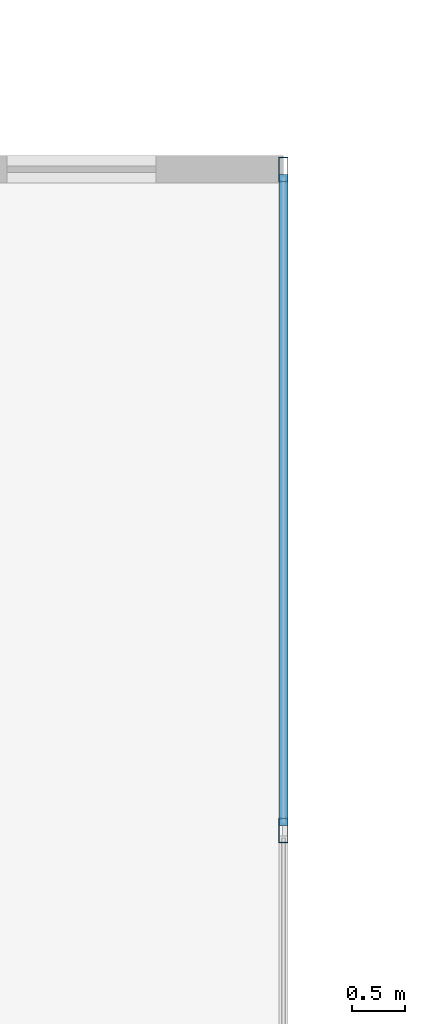
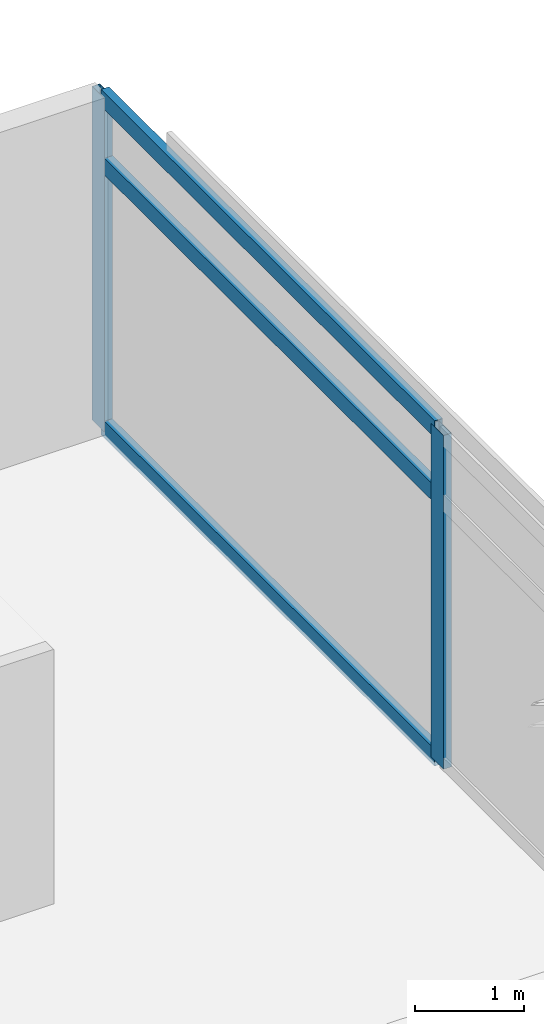
# One storey, part 11 of 20: 5 members, 1 element without a shape of its own.
"""IFC4 building model written with IfcOpenShell, lengths in metres."""

import ifcopenshell
import ifcopenshell.guid

model = None  # the IFC model being written
_history = None  # IfcOwnerHistory: only IFC2X3 demands one
_inside = {}  # id of a spatial element -> (the spatial element, [elements in it])
_under = {}  # id of a project, library or spatial element -> (it, [spatial elements below it])
_declared = {}  # id of a project -> (the project, [libraries it declares])
_typed = {}  # id of a type object -> (the type object, [elements of that type])
_made_of = {}  # id of a material, layer set ... -> (it, [elements and type objects made of it])


def new_model(schema):
    """Start an empty IFC model of exactly this schema.

    Asked for "IFC4X3", IfcOpenShell would pick the latest addendum, in which some entities
    have other attributes; the version numbers below select the first issue.
    IFC2X3 requires an IfcOwnerHistory on every rooted entity: one is made here for all.
    """
    global model, _history
    if schema == "IFC4X3":
        model = ifcopenshell.file(schema_version=(4, 3, 0, 0))
    else:
        model = ifcopenshell.file(schema=schema)
    _inside.clear()
    _under.clear()
    _declared.clear()
    _typed.clear()
    _made_of.clear()
    _history = None
    if model.schema == "IFC2X3":
        org = make("IfcOrganization", Name="unknown")
        user = make(
            "IfcPersonAndOrganization",
            ThePerson=make("IfcPerson", FamilyName="unknown"),
            TheOrganization=org,
        )
        app = make(
            "IfcApplication",
            ApplicationDeveloper=org,
            Version="unknown",
            ApplicationFullName="unknown",
            ApplicationIdentifier="unknown",
        )
        _history = make(
            "IfcOwnerHistory",
            OwningUser=user,
            OwningApplication=app,
            ChangeAction="ADDED",
            CreationDate=0,
        )
    return model


def make(cls, **values):
    """One entity of the class cls with the attributes given. An attribute that is None is left unset."""
    return model.create_entity(
        cls, **{name: value for name, value in values.items() if value is not None}
    )


def rooted(cls, **values):
    """An entity with a GlobalId (a new one), such as an element, a storey or a relation."""
    return make(cls, GlobalId=ifcopenshell.guid.new(), OwnerHistory=_history, **values)


def si_unit(unit_type, name, prefix=None):
    """IfcSIUnit, for example si_unit("LENGTHUNIT", "METRE", prefix="MILLI")."""
    return make("IfcSIUnit", UnitType=unit_type, Prefix=prefix, Name=name)


def assignment(units):
    """IfcUnitAssignment: the units of a project."""
    return None if units is None else make("IfcUnitAssignment", Units=units)


def point(xyz):
    """IfcCartesianPoint."""
    return None if xyz is None else make("IfcCartesianPoint", Coordinates=xyz)


def direction(xyz):
    """IfcDirection."""
    return None if xyz is None else make("IfcDirection", DirectionRatios=xyz)


def frame(location, z_axis=None, x_axis=None):
    """IfcAxis2Placement3D, a coordinate frame: its origin and axes. An axis left out is left unset."""
    return make(
        "IfcAxis2Placement3D",
        Location=point(location),
        Axis=direction(z_axis),
        RefDirection=direction(x_axis),
    )


def frame_2d(location, x_axis=None):
    """IfcAxis2Placement2D, a coordinate frame in the plane: its origin and x axis."""
    return make(
        "IfcAxis2Placement2D", Location=point(location), RefDirection=direction(x_axis)
    )


def origin():
    """The frame at (0, 0, 0) with its axes left unset."""
    return frame((0.0, 0.0, 0.0))


def origin_2d():
    """The frame at (0, 0) in the plane with its x axis left unset."""
    return frame_2d((0.0, 0.0))


def place(relative_to, where):
    """IfcLocalPlacement: puts the frame where relative to a parent placement (None: the world)."""
    return make(
        "IfcLocalPlacement", PlacementRelTo=relative_to, RelativePlacement=where
    )


def context(
    kind, dimensions, precision=None, world=None, true_north=None, identifier=None
):
    """IfcGeometricRepresentationContext, for example the 3D "Model" context."""
    return make(
        "IfcGeometricRepresentationContext",
        ContextIdentifier=identifier,
        ContextType=kind,
        CoordinateSpaceDimension=dimensions,
        Precision=precision,
        WorldCoordinateSystem=world,
        TrueNorth=true_north,
    )


def subcontext(parent, identifier, kind, view, scale=None):
    """IfcGeometricRepresentationSubContext, for example "Body" below "Model"."""
    return make(
        "IfcGeometricRepresentationSubContext",
        ContextIdentifier=identifier,
        ContextType=kind,
        ParentContext=parent,
        TargetScale=scale,
        TargetView=view,
    )


def project(units=None, contexts=None):
    """IfcProject with its units and contexts."""
    return rooted(
        "IfcProject",
        Name="project",
        RepresentationContexts=contexts,
        UnitsInContext=assignment(units),
    )


def spatial(cls, under=None, at=None, **own):
    """A site, building, storey or space (cls), placed at a placement, below another one or the project."""
    s = rooted(cls, ObjectPlacement=at, **own)
    if under is not None:
        _under.setdefault(under.id(), (under, []))[1].append(s)
    return s


def profile(cls, at=None, kind="AREA", **sizes):
    """A parametric profile (cls). Its sizes go by their IFC names, for example OverallWidth=200.0."""
    return make(cls, ProfileType=kind, Position=at, **sizes)


def hollow_rectangle(**sizes):
    """IfcRectangleHollowProfileDef."""
    return profile("IfcRectangleHollowProfileDef", **sizes)


def extrude(swept, where, along, depth):
    """IfcExtrudedAreaSolid: the profile swept, set in the frame where, extruded along a direction by depth."""
    return make(
        "IfcExtrudedAreaSolid",
        SweptArea=swept,
        Position=where,
        ExtrudedDirection=direction(along),
        Depth=depth,
    )


def shape(context_of_items, identifier, shape_type, items):
    """IfcShapeRepresentation: the items that make up one representation, for example the "Body"."""
    return make(
        "IfcShapeRepresentation",
        ContextOfItems=context_of_items,
        RepresentationIdentifier=identifier,
        RepresentationType=shape_type,
        Items=items,
    )


def material(Name=None, Category=None):
    """IfcMaterial."""
    return make("IfcMaterial", Name=Name, Category=Category)


def material_profile(
    of_material, cross_section, Name=None, Category=None, Priority=None
):
    """IfcMaterialProfile: a cross section and its material."""
    return make(
        "IfcMaterialProfile",
        Name=Name,
        Material=of_material,
        Profile=cross_section,
        Priority=Priority,
        Category=Category,
    )


def profile_set(profiles, Name=None, composite=None):
    """IfcMaterialProfileSet."""
    return make(
        "IfcMaterialProfileSet",
        Name=Name,
        MaterialProfiles=profiles,
        CompositeProfile=composite,
    )


def made_of(thing, what):
    """Note that an element or type object is made of a material, layer set ...; save() writes the relation."""
    if what is not None:
        _made_of.setdefault(what.id(), (what, []))[1].append(thing)
    return thing


def type_object(cls, material=None, **own):
    """A type object (cls), such as IfcWallType, which elements share."""
    return made_of(rooted(cls, **own), material)


def element(
    cls,
    number,
    at=None,
    inside=None,
    cuts=None,
    type_object=None,
    material=None,
    context=None,
    identifier="Body",
    shape_type=None,
    held_by="IfcProductDefinitionShape",
    body=None,
    shapes=None,
    **own,
):
    """One element of the class cls, such as IfcWall. Its Tag is "e" and its number.

    at: its placement. inside: the storey or other place that contains it. cuts: it is an
    opening in that element (IfcRelVoidsElement). A single representation is given by context,
    identifier, shape_type and body (its items); several are given by shapes. held_by: the class
    of the entity that holds the representations. save() writes the other relations.
    """
    e = rooted(cls, Tag="e%d" % number, ObjectPlacement=at, **own)
    if body is not None:
        shapes = [shape(context, identifier, shape_type, body)]
    if shapes is not None:
        e.Representation = make(held_by, Representations=shapes)
    if inside is not None:
        _inside.setdefault(inside.id(), (inside, []))[1].append(e)
    if cuts is not None:
        rooted(
            "IfcRelVoidsElement", RelatingBuildingElement=cuts, RelatedOpeningElement=e
        )
    if type_object is not None:
        _typed.setdefault(type_object.id(), (type_object, []))[1].append(e)
    return made_of(e, material)


def aggregate(whole, parts):
    """IfcRelAggregates: a whole, such as a stair, and the parts it consists of."""
    return rooted("IfcRelAggregates", RelatingObject=whole, RelatedObjects=parts)


def save(model, path):
    """Write the relations noted so far, then the file.

    IfcRelAggregates (storeys below a building ...), IfcRelContainedInSpatialStructure (elements
    in a storey), IfcRelDefinesByType, IfcRelAssociatesMaterial and IfcRelDeclares: one each for
    every whole, place, type object, material and project.
    """
    for whole, parts in _under.values():
        aggregate(whole, parts)
    for where, things in _inside.values():
        rooted(
            "IfcRelContainedInSpatialStructure",
            RelatedElements=things,
            RelatingStructure=where,
        )
    for kind, things in _typed.values():
        rooted("IfcRelDefinesByType", RelatedObjects=things, RelatingType=kind)
    for what, things in _made_of.values():
        rooted("IfcRelAssociatesMaterial", RelatedObjects=things, RelatingMaterial=what)
    for by, libraries in _declared.values():
        rooted("IfcRelDeclares", RelatingContext=by, RelatedDefinitions=libraries)
    model.write(path)


model = new_model("IFC4")

# Units and contexts
model_context = context("Model", 3, precision=1e-05, world=origin(), true_north=direction((0.0, 1.0)))
body_context = subcontext(model_context, "Body", "Model", "MODEL_VIEW")
ifc_project = project(units=[si_unit("LENGTHUNIT", "METRE"), si_unit("AREAUNIT", "SQUARE_METRE"), si_unit("VOLUMEUNIT", "CUBIC_METRE"), si_unit("PLANEANGLEUNIT", "RADIAN"), si_unit("MASSUNIT", "GRAM", prefix="KILO")], contexts=[model_context])

# Site, building, storey
site_placement = place(None, origin())
site = spatial("IfcSite", under=ifc_project, at=site_placement, CompositionType="ELEMENT")
building_placement = place(site_placement, origin())
building = spatial("IfcBuilding", under=site, at=building_placement, Name="Kovane Verandah Tower", CompositionType="ELEMENT")
storey_placement = place(building_placement, frame((0.0, 0.0, 160.39990234375)))
storey = spatial("IfcBuildingStorey", under=building, at=storey_placement, Name="L37", CompositionType="ELEMENT", Elevation=160.39990234375)

# Curtain wall, members
ifc_material_1 = material(Name="Champagne Anodised Aluminium Frame with Low-E Clear Laminated Glass", Category="aluminium")
curtain_wall_type = type_object("IfcCurtainWallType", Name="CW-SYS-03-MID", PredefinedType="NOTDEFINED", material=ifc_material_1)
curtain_wall_placement = place(storey_placement, origin())
curtain_wall = element("IfcCurtainWall", 1, at=curtain_wall_placement, inside=storey, type_object=curtain_wall_type, Name="L37 E Unitised Curtain Wall", PredefinedType="NOTDEFINED")
ifc_material_2 = material(Name="Champagne Anodised Aluminium 6063-T6", Category="aluminium")
ifc_material_profile_1 = material_profile(ifc_material_2, hollow_rectangle(XDim=0.0849609375, YDim=0.22998046875, WallThickness=0.00390625, at=origin_2d()), Name="AL85x230x4")
ifc_profile_set_1 = profile_set([ifc_material_profile_1], Name="Champagne Anodised Aluminium 6063-T6")
member_type_1 = type_object("IfcMemberType", Name="CW-MUL-85x230", PredefinedType="MULLION", material=ifc_profile_set_1)
member_1_placement = place(storey_placement, frame((66.67236328125, 39.94091796875, 0.02001953125), z_axis=(0.0, 0.0, 1.0), x_axis=(1.0, 0.0, 0.0)))
member_1 = element("IfcMember", 2, at=member_1_placement, type_object=member_type_1, Name="L37 E Unitised Curtain Wall Mullion 6", PredefinedType="MULLION", context=body_context, shape_type="SweptSolid", body=[
    extrude(hollow_rectangle(XDim=0.0849609375, YDim=0.22998046875, WallThickness=0.00390625, at=origin_2d()), origin(), (0.0, 0.0, 1.0), 3.735107421875),
])
member_2_placement = place(storey_placement, frame((66.67236328125, 46.161376953125, 0.02001953125), z_axis=(0.0, 0.0, 1.0), x_axis=(1.0, 0.0, 0.0)))
member_2 = element("IfcMember", 3, at=member_2_placement, type_object=member_type_1, Name="L37 E Unitised Curtain Wall Mullion 7", PredefinedType="MULLION", context=body_context, shape_type="SweptSolid", body=[
    extrude(hollow_rectangle(XDim=0.0849609375, YDim=0.22998046875, WallThickness=0.00390625, at=origin_2d()), origin(), (0.0, 0.0, 1.0), 3.735107421875),
])
ifc_material_profile_2 = material_profile(ifc_material_2, hollow_rectangle(XDim=0.0849609375, YDim=0.18994140625, WallThickness=0.00390625, at=origin_2d()), Name="AL85x190x4")
ifc_profile_set_2 = profile_set([ifc_material_profile_2], Name="Champagne Anodised Aluminium 6063-T6")
member_type_2 = type_object("IfcMemberType", Name="CW-TRN-85x190", PredefinedType="USERDEFINED", material=ifc_profile_set_2)
member_3_placement = place(storey_placement, frame((66.67236328125, 39.990966796875, 0.050048828125), z_axis=(0.0, 1.0, 0.0), x_axis=(-1.0, 0.0, 0.0)))
member_3 = element("IfcMember", 4, at=member_3_placement, type_object=member_type_2, Name="L37 E Unitised Curtain Wall Transom TB Bay 6", ObjectType="TRANSOM", PredefinedType="USERDEFINED", context=body_context, shape_type="SweptSolid", body=[
    extrude(hollow_rectangle(XDim=0.0849609375, YDim=0.18994140625, WallThickness=0.00390625, at=origin_2d()), origin(), (0.0, 0.0, 1.0), 6.120361328125),
])
member_4_placement = place(storey_placement, frame((66.67236328125, 39.990966796875, 2.9951171875), z_axis=(0.0, 1.0, 0.0), x_axis=(-1.0, 0.0, 0.0)))
member_4 = element("IfcMember", 5, at=member_4_placement, type_object=member_type_2, Name="L37 E Unitised Curtain Wall Transom TM Bay 6", ObjectType="TRANSOM", PredefinedType="USERDEFINED", context=body_context, shape_type="SweptSolid", body=[
    extrude(hollow_rectangle(XDim=0.0849609375, YDim=0.18994140625, WallThickness=0.00390625, at=origin_2d()), origin(), (0.0, 0.0, 1.0), 6.120361328125),
])
member_5_placement = place(storey_placement, frame((66.67236328125, 39.990966796875, 3.72509765625), z_axis=(0.0, 1.0, 0.0), x_axis=(-1.0, 0.0, 0.0)))
member_5 = element("IfcMember", 6, at=member_5_placement, type_object=member_type_2, Name="L37 E Unitised Curtain Wall Transom TT Bay 6", ObjectType="TRANSOM", PredefinedType="USERDEFINED", context=body_context, shape_type="SweptSolid", body=[
    extrude(hollow_rectangle(XDim=0.0849609375, YDim=0.18994140625, WallThickness=0.00390625, at=origin_2d()), origin(), (0.0, 0.0, 1.0), 6.120361328125),
])
aggregate(curtain_wall, [member_1, member_2, member_3, member_4, member_5])

save(model, "model.ifc")
